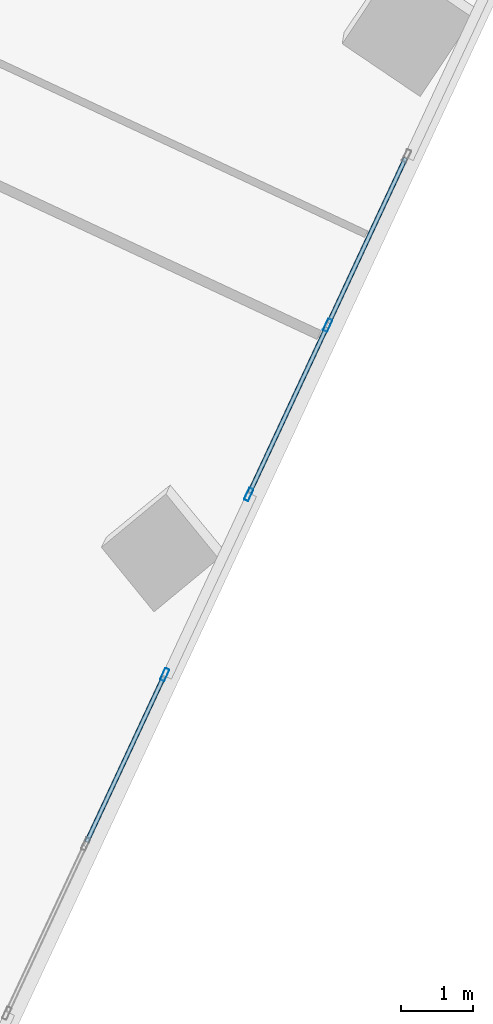
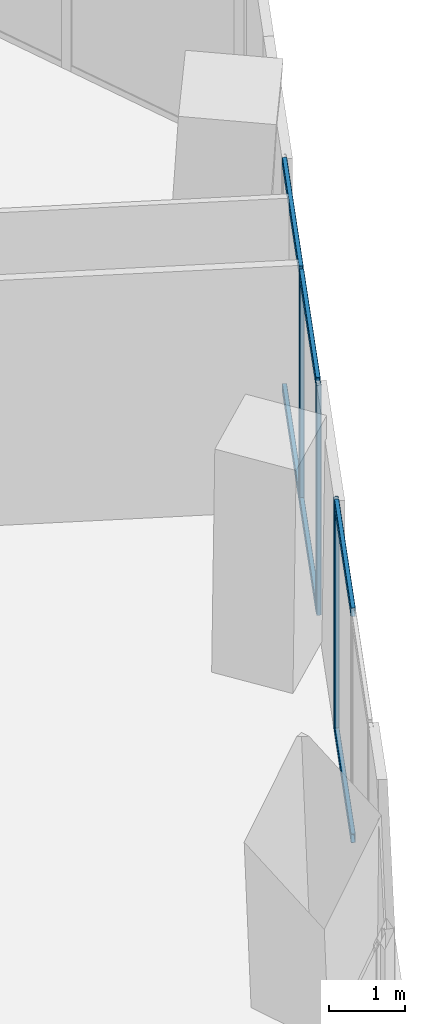
# One storey, part 8 of 23: 9 members, 2 elements without a shape of their own.
"""IFC4 building model written with IfcOpenShell, lengths in metres."""

from ifc_helpers import new_model, si_unit, direction, frame, origin, origin_2d, place, context, subcontext, project, spatial, hollow_rectangle, extrude, source, transform, mapped, material, material_profile, profile_set, type_object, element, aggregate, save


model = new_model("IFC4")

# Units and contexts
model_context = context("Model", 3, precision=1e-05, world=origin(), true_north=direction((0.0, 1.0)))
body_context = subcontext(model_context, "Body", "Model", "MODEL_VIEW")
ifc_project = project(units=[si_unit("LENGTHUNIT", "METRE"), si_unit("AREAUNIT", "SQUARE_METRE"), si_unit("VOLUMEUNIT", "CUBIC_METRE"), si_unit("PLANEANGLEUNIT", "RADIAN"), si_unit("MASSUNIT", "GRAM", prefix="KILO")], contexts=[model_context])

# Site, building, storey
site_placement = place(None, origin())
site = spatial("IfcSite", under=ifc_project, at=site_placement, CompositionType="ELEMENT")
building_placement = place(site_placement, origin())
building = spatial("IfcBuilding", under=site, at=building_placement, Name="Torre Montelarca", CompositionType="ELEMENT")
storey_placement = place(building_placement, frame((0.0, 0.0, 158.199951171875)))
storey = spatial("IfcBuildingStorey", under=building, at=storey_placement, Name="L35", CompositionType="ELEMENT", Elevation=158.199951171875)

# Curtain wall, member
ifc_material_1 = material(Name="Insulated low-E laminated glass", Category="glass")
curtain_wall_type = type_object("IfcCurtainWallType", Name="CW-SYS-Z2", PredefinedType="USERDEFINED", material=ifc_material_1)
curtain_wall_1_placement = place(storey_placement, origin())
curtain_wall_1 = element("IfcCurtainWall", 1, at=curtain_wall_1_placement, inside=storey, type_object=curtain_wall_type, Name="L35 Curtain Wall Run CW-T3-L35-E06-B1", ObjectType="UNITISED GLAZING", PredefinedType="USERDEFINED")
ifc_material_2 = material(Name="Anodised aluminium AA 6063-T6", Category="aluminium")
ifc_material_profile_1 = material_profile(ifc_material_2, hollow_rectangle(XDim=0.06494140625, YDim=0.179931640625, WallThickness=0.00390625, InnerFilletRadius=0.00390625, OuterFilletRadius=0.008056640625, at=origin_2d()), Name="ALU65X180X4", Category="aluminium")
ifc_profile_set_1 = profile_set([ifc_material_profile_1], Name="Anodised aluminium AA 6063-T6")
member_type_1 = type_object("IfcMemberType", Name="CWM-ALU180", PredefinedType="MULLION", material=ifc_profile_set_1)
shared_shape_1 = source(origin(), body_context, "Body", "SweptSolid", [
    extrude(hollow_rectangle(XDim=0.06494140625, YDim=0.179931640625, WallThickness=0.00390625, InnerFilletRadius=0.00390625, OuterFilletRadius=0.008056640625, at=origin_2d()), origin(), (0.0, 0.0, 1.0), 3.719970703125),
])
member_1_placement = place(storey_placement, frame((45.510986328125, 18.965576171875, 0.0), z_axis=(0.0, 0.0, 1.0), x_axis=(-0.906314326192, 0.422604238194, 0.0)))
member_1 = element("IfcMember", 2, at=member_1_placement, type_object=member_type_1, Name="CW mullion 3", PredefinedType="MULLION", context=body_context, shape_type="MappedRepresentation", body=[
    mapped(shared_shape_1, transform((0.0, 0.0, 0.0), scale=1.0)),
])

# Curtain wall, members
curtain_wall_2_placement = place(storey_placement, origin())
curtain_wall_2 = element("IfcCurtainWall", 3, at=curtain_wall_2_placement, inside=storey, type_object=curtain_wall_type, Name="L35 Curtain Wall Run CW-T3-L35-E06-B2", ObjectType="UNITISED GLAZING", PredefinedType="USERDEFINED")
member_2_placement = place(storey_placement, frame((46.674560546875, 21.4609375, 0.0), z_axis=(0.0, 0.0, 1.0), x_axis=(-0.906304132546, 0.422626098733, 0.0)))
member_2 = element("IfcMember", 4, at=member_2_placement, type_object=member_type_1, Name="CW mullion 1", PredefinedType="MULLION", context=body_context, shape_type="MappedRepresentation", body=[
    mapped(shared_shape_1, transform((0.0, 0.0, 0.0), scale=1.0)),
])
member_3_placement = place(storey_placement, frame((47.76708984375, 23.8037109375, 0.0), z_axis=(0.0, 0.0, 1.0), x_axis=(-0.906304132546, 0.422626098733, 0.0)))
member_3 = element("IfcMember", 5, at=member_3_placement, type_object=member_type_1, Name="CW mullion 2", PredefinedType="MULLION", context=body_context, shape_type="MappedRepresentation", body=[
    mapped(shared_shape_1, transform((0.0, 0.0, 0.0), scale=1.0)),
])

# Member
ifc_material_profile_2 = material_profile(ifc_material_2, hollow_rectangle(XDim=0.06494140625, YDim=0.139892578125, WallThickness=0.00390625, InnerFilletRadius=0.00390625, OuterFilletRadius=0.008056640625, at=origin_2d()), Name="ALU65X140X4", Category="aluminium")
ifc_profile_set_2 = profile_set([ifc_material_profile_2], Name="Anodised aluminium AA 6063-T6")
member_type_2 = type_object("IfcMemberType", Name="CWT-ALU140", PredefinedType="USERDEFINED", material=ifc_profile_set_2)
shared_shape_2 = source(origin(), body_context, "Body", "SweptSolid", [
    extrude(hollow_rectangle(XDim=0.06494140625, YDim=0.139892578125, WallThickness=0.00390625, InnerFilletRadius=0.00390625, OuterFilletRadius=0.008056640625, at=origin_2d()), origin(), (0.0, 0.0, 1.0), 2.52099609375),
])
member_4_placement = place(storey_placement, frame((44.431884765625, 16.6513671875, 0.032470703125), z_axis=(0.422604471147, 0.906314217568, 0.0), x_axis=(-0.906314217568, 0.422604471147, 0.0)))
member_4 = element("IfcMember", 6, at=member_4_placement, type_object=member_type_2, Name="CW transom 2.1", ObjectType="TRANSOM", PredefinedType="USERDEFINED", context=body_context, shape_type="MappedRepresentation", body=[
    mapped(shared_shape_2, transform((0.0, 0.0, 0.0), scale=1.0)),
])

member_5_placement = place(storey_placement, frame((44.431884765625, 16.6513671875, 3.6875), z_axis=(0.422604471147, 0.906314217568, 0.0), x_axis=(-0.906314217568, 0.422604471147, 0.0)))
member_5 = element("IfcMember", 7, at=member_5_placement, type_object=member_type_2, Name="CW transom 2.2", ObjectType="TRANSOM", PredefinedType="USERDEFINED", context=body_context, shape_type="MappedRepresentation", body=[
    mapped(shared_shape_2, transform((0.0, 0.0, 0.0), scale=1.0)),
])

aggregate(curtain_wall_1, [member_1, member_4, member_5])

shared_shape_3 = source(origin(), body_context, "Body", "SweptSolid", [
    extrude(hollow_rectangle(XDim=0.06494140625, YDim=0.139892578125, WallThickness=0.00390625, InnerFilletRadius=0.00390625, OuterFilletRadius=0.008056640625, at=origin_2d()), origin(), (0.0, 0.0, 1.0), 2.52001953125),
])
member_6_placement = place(storey_placement, frame((46.6884765625, 21.490234375, 0.032470703125), z_axis=(0.422593740496, 0.906319221077, 0.0), x_axis=(-0.906319221077, 0.422593740496, 0.0)))
member_6 = element("IfcMember", 8, at=member_6_placement, type_object=member_type_2, Name="CW transom 1.1", ObjectType="TRANSOM", PredefinedType="USERDEFINED", context=body_context, shape_type="MappedRepresentation", body=[
    mapped(shared_shape_3, transform((0.0, 0.0, 0.0), scale=1.0)),
])

member_7_placement = place(storey_placement, frame((46.6884765625, 21.490234375, 3.6875), z_axis=(0.422593740496, 0.906319221077, 0.0), x_axis=(-0.906319221077, 0.422593740496, 0.0)))
member_7 = element("IfcMember", 9, at=member_7_placement, type_object=member_type_2, Name="CW transom 1.2", ObjectType="TRANSOM", PredefinedType="USERDEFINED", context=body_context, shape_type="MappedRepresentation", body=[
    mapped(shared_shape_3, transform((0.0, 0.0, 0.0), scale=1.0)),
])

member_8_placement = place(storey_placement, frame((47.78076171875, 23.8330078125, 0.032470703125), z_axis=(0.422673314847, 0.906282113316, 0.0), x_axis=(-0.906282113316, 0.422673314847, 0.0)))
member_8 = element("IfcMember", 10, at=member_8_placement, type_object=member_type_2, Name="CW transom 2.1", ObjectType="TRANSOM", PredefinedType="USERDEFINED", context=body_context, shape_type="MappedRepresentation", body=[
    mapped(shared_shape_3, transform((0.0, 0.0, 0.0), scale=1.0)),
])

member_9_placement = place(storey_placement, frame((47.78076171875, 23.8330078125, 3.6875), z_axis=(0.422673314847, 0.906282113316, 0.0), x_axis=(-0.906282113316, 0.422673314847, 0.0)))
member_9 = element("IfcMember", 11, at=member_9_placement, type_object=member_type_2, Name="CW transom 2.2", ObjectType="TRANSOM", PredefinedType="USERDEFINED", context=body_context, shape_type="MappedRepresentation", body=[
    mapped(shared_shape_3, transform((0.0, 0.0, 0.0), scale=1.0)),
])

aggregate(curtain_wall_2, [member_2, member_3, member_6, member_7, member_8, member_9])

save(model, "model.ifc")
